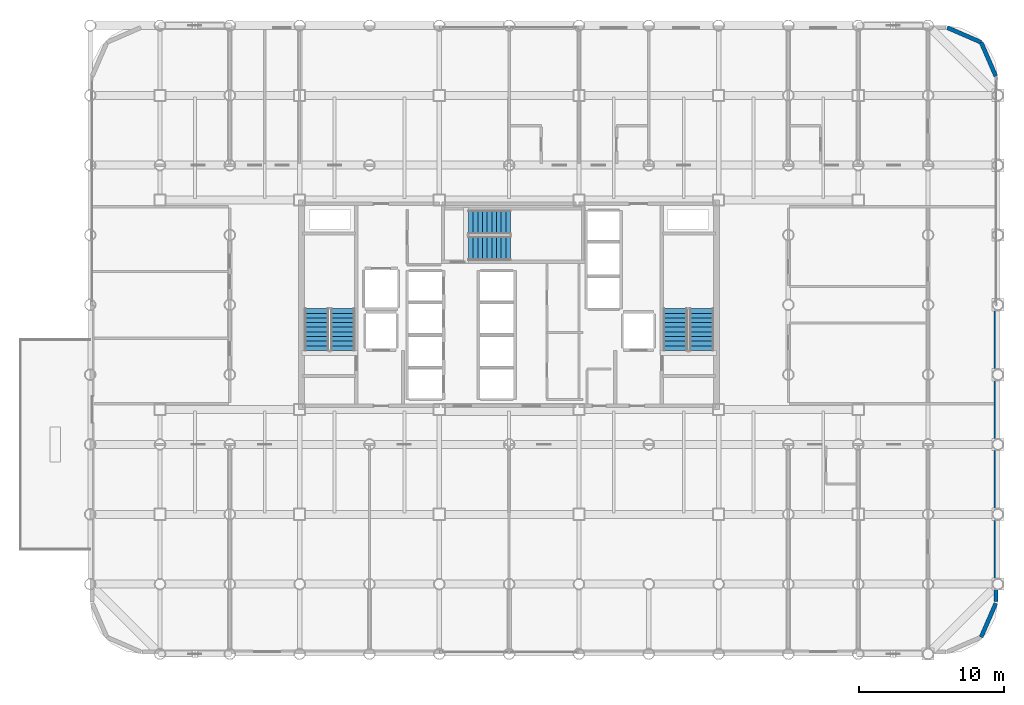
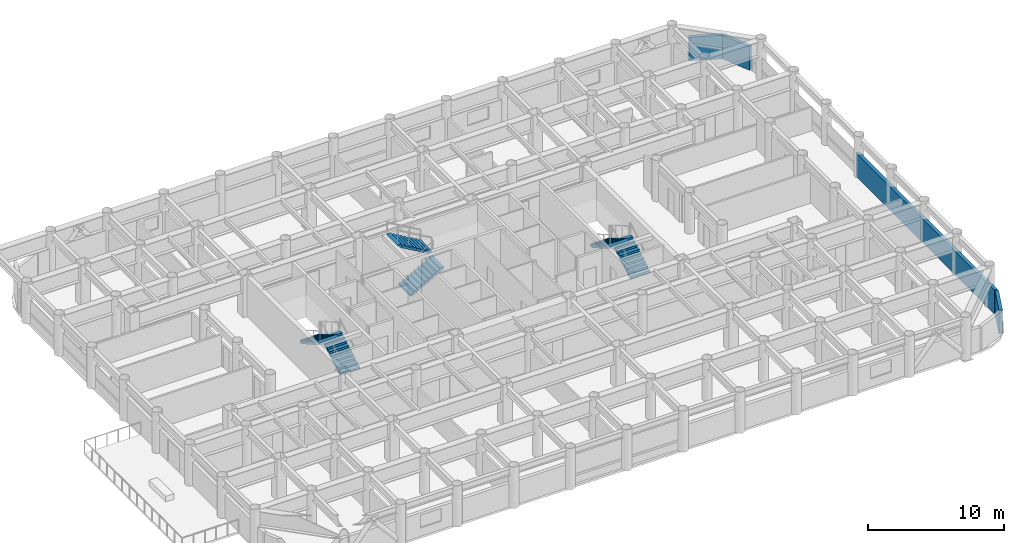
# One storey, part 20 of 22: 6 stair flights, 4 walls, 3 elements without a shape of their own.
"""IFC4 building model written with IfcOpenShell, lengths in metres."""

from ifc_helpers import new_model, si_unit, direction, frame, frame_2d, origin, place, context, subcontext, project, spatial, polyline, rectangle, outline, extrude, material, layer, layer_set, type_object, element, aggregate, save


model = new_model("IFC4")

# Units and contexts
model_context = context("Model", 3, precision=1e-05, world=origin(), true_north=direction((0.0, 1.0)))
body_context = subcontext(model_context, "Body", "Model", "MODEL_VIEW")
ifc_project = project(units=[si_unit("LENGTHUNIT", "METRE"), si_unit("AREAUNIT", "SQUARE_METRE"), si_unit("VOLUMEUNIT", "CUBIC_METRE"), si_unit("PLANEANGLEUNIT", "RADIAN"), si_unit("MASSUNIT", "GRAM", prefix="KILO")], contexts=[model_context])

# Site, building, storey
site_placement = place(None, origin())
site = spatial("IfcSite", under=ifc_project, at=site_placement, CompositionType="ELEMENT")
building_placement = place(site_placement, origin())
building = spatial("IfcBuilding", under=site, at=building_placement, Name="Kallvorn Hotel Tower", CompositionType="ELEMENT")
storey_placement = place(building_placement, frame((0.0, 0.0, 59.60009765625)))
storey = spatial("IfcBuildingStorey", under=building, at=storey_placement, Name="L13", CompositionType="ELEMENT", Elevation=59.60009765625)

# Walls
ifc_material_1 = material(Name="Precast basalt-clad insulated concrete wall C40/50", Category="masonry")
ifc_layer = layer(ifc_material_1, 0.280029296875)
ifc_layer_set = layer_set([ifc_layer], Name="WL_EXT_LOGGIA_280")
wall_type = type_object("IfcWallType", Name="WL_EXT_LOGGIA_280", PredefinedType="SOLIDWALL", material=ifc_layer_set)
for number, where, z_axis, x_axis, name in (
    (1, (32.446533203125, -22.8466796875, 0.0), (0.0, 0.0, 1.0), (0.398792985289, 0.917040977756, 0.0), "L13 Rounded Corner Exterior Wall SE2"),
    (2, (33.4580078125, 15.720703125, 0.0), (0.0, 0.0, 1.0), (-0.398792985289, 0.917040977756, 0.0), "L13 Rounded Corner Exterior Wall NE1"),
):
    element("IfcWall", number, at=place(storey_placement, frame(where, z_axis=z_axis, x_axis=x_axis)), inside=storey, type_object=wall_type, Name=name, PredefinedType="SOLIDWALL", context=body_context, shape_type="SweptSolid", body=[
        extrude(rectangle(XDim=2.536376953125, YDim=0.280029296875, at=frame_2d((1.26806640625, 0.0))), origin(), (0.0, 0.0, 1.0), 2.119873046875),
    ])
wall_1_placement = place(storey_placement, frame((32.446533203125, 18.046630859375, 0.0), z_axis=(0.0, 0.0, 1.0), x_axis=(-0.917060872934, 0.398747232384, 0.0)))
element("IfcWall", 3, at=wall_1_placement, inside=storey, type_object=wall_type, Name="L13 Rounded Corner Exterior Wall NE2", PredefinedType="SOLIDWALL", context=body_context, shape_type="SweptSolid", body=[
    extrude(rectangle(XDim=2.5361328125, YDim=0.280029296875, at=frame_2d((1.26806640625, 0.0))), origin(), (0.0, 0.0, 1.0), 2.119873046875),
])
wall_2_placement = place(storey_placement, frame((33.4599609375, -20.39990234375, 0.0), z_axis=(0.0, 0.0, 1.0), x_axis=(0.0, 1.0, 0.0)))
element("IfcWall", 4, at=wall_2_placement, inside=storey, type_object=wall_type, Name="L13 Exterior Envelope Wall EW-L13-ES", PredefinedType="SOLIDWALL", context=body_context, shape_type="SweptSolid", body=[
    extrude(rectangle(XDim=20.3798828125, YDim=0.280029296875, at=frame_2d((10.18994140625, 0.0))), origin(), (0.0, 0.0, 1.0), 2.119873046875),
])

# Stair, stair flights
ifc_material_2 = material(Name="Precast concrete C40/50", Category="concrete")
stair_type = type_object("IfcStairType", Name="STR_CORE_DOGLEG", PredefinedType="HALF_TURN_STAIR", material=ifc_material_2)
stair_1_placement = place(storey_placement, origin())
stair_1 = element("IfcStair", 5, at=stair_1_placement, inside=storey, type_object=stair_type, Name="L13 Exit stair ST1", PredefinedType="HALF_TURN_STAIR")
ifc_material_3 = material(Name="Precast concrete C40/50", Category="concrete")
stair_flight_type = type_object("IfcStairFlightType", Name="FLT_CORE_1660", PredefinedType="STRAIGHT", material=ifc_material_3)
stair_flight_1_placement = place(storey_placement, frame((-11.429931640625, -3.139892578125, 0.0), z_axis=(0.0, 0.0, 1.0), x_axis=(0.0, 1.0, 0.0)))
stair_flight_1 = element("IfcStairFlight", 6, at=stair_flight_1_placement, type_object=stair_flight_type, Name="ST1 flight 1", NumberOfRisers=10, NumberOfTreads=9, PredefinedType="STRAIGHT", RiserHeight=0.185, TreadLength=0.32, context=body_context, shape_type="SweptSolid", body=[
    extrude(outline(polyline([(0.0, 0.0), (0.0, 0.18505859375), (0.320068359375, 0.18505859375), (0.320068359375, 0.3701171875), (0.639892578125, 0.3701171875), (0.639892578125, 0.554931640625), (0.9599609375, 0.554931640625), (0.9599609375, 0.739990234375), (1.280029296875, 0.739990234375), (1.280029296875, 0.925048828125), (1.60009765625, 0.925048828125), (1.60009765625, 1.110107421875), (1.919921875, 1.110107421875), (1.919921875, 1.294921875), (2.239990234375, 1.294921875), (2.239990234375, 1.47998046875), (2.56005859375, 1.47998046875), (2.56005859375, 1.6650390625), (2.8798828125, 1.6650390625), (2.8798828125, 1.85009765625), (2.8798828125, 1.491943359375), (0.299560546875, 0.0), (0.0, 0.0)])), frame((0.0, 0.830078125, 0.0), z_axis=(0.0, -1.0, 0.0), x_axis=(1.0, 0.0, 0.0)), (0.0, 0.0, 1.0), 1.659912109375),
])
stair_flight_2_placement = place(storey_placement, frame((-13.22998046875, -0.260009765625, 1.849853515625), z_axis=(0.0, 0.0, 1.0), x_axis=(0.0, -1.0, 0.0)))
stair_flight_2 = element("IfcStairFlight", 7, at=stair_flight_2_placement, type_object=stair_flight_type, Name="ST1 flight 2", NumberOfRisers=10, NumberOfTreads=9, PredefinedType="STRAIGHT", RiserHeight=0.185, TreadLength=0.32, context=body_context, shape_type="SweptSolid", body=[
    extrude(outline(polyline([(0.0, 0.0), (0.0, 0.18505859375), (0.320068359375, 0.18505859375), (0.320068359375, 0.3701171875), (0.639892578125, 0.3701171875), (0.639892578125, 0.554931640625), (0.9599609375, 0.554931640625), (0.9599609375, 0.739990234375), (1.280029296875, 0.739990234375), (1.280029296875, 0.925048828125), (1.60009765625, 0.925048828125), (1.60009765625, 1.110107421875), (1.919921875, 1.110107421875), (1.919921875, 1.294921875), (2.239990234375, 1.294921875), (2.239990234375, 1.47998046875), (2.56005859375, 1.47998046875), (2.56005859375, 1.6650390625), (2.8798828125, 1.6650390625), (2.8798828125, 1.85009765625), (2.8798828125, 1.491943359375), (0.299560546875, 0.0), (0.0, 0.0)])), frame((0.0, 0.830078125, 0.0), z_axis=(0.0, -1.0, 0.0), x_axis=(1.0, 0.0, 0.0)), (0.0, 0.0, 1.0), 1.659912109375),
])
aggregate(stair_1, [stair_flight_1, stair_flight_2])

stair_2_placement = place(storey_placement, origin())
stair_2 = element("IfcStair", 8, at=stair_2_placement, inside=storey, type_object=stair_type, Name="L13 Exit stair ST2", PredefinedType="HALF_TURN_STAIR")
stair_flight_3_placement = place(storey_placement, frame((13.22998046875, -3.139892578125, 0.0), z_axis=(0.0, 0.0, 1.0), x_axis=(0.0, 1.0, 0.0)))
stair_flight_3 = element("IfcStairFlight", 9, at=stair_flight_3_placement, type_object=stair_flight_type, Name="ST2 flight 1", NumberOfRisers=10, NumberOfTreads=9, PredefinedType="STRAIGHT", RiserHeight=0.185, TreadLength=0.32, context=body_context, shape_type="SweptSolid", body=[
    extrude(outline(polyline([(0.0, 0.0), (0.0, 0.18505859375), (0.320068359375, 0.18505859375), (0.320068359375, 0.3701171875), (0.639892578125, 0.3701171875), (0.639892578125, 0.554931640625), (0.9599609375, 0.554931640625), (0.9599609375, 0.739990234375), (1.280029296875, 0.739990234375), (1.280029296875, 0.925048828125), (1.60009765625, 0.925048828125), (1.60009765625, 1.110107421875), (1.919921875, 1.110107421875), (1.919921875, 1.294921875), (2.239990234375, 1.294921875), (2.239990234375, 1.47998046875), (2.56005859375, 1.47998046875), (2.56005859375, 1.6650390625), (2.8798828125, 1.6650390625), (2.8798828125, 1.85009765625), (2.8798828125, 1.491943359375), (0.299560546875, 0.0), (0.0, 0.0)])), frame((0.0, 0.830078125, 0.0), z_axis=(0.0, -1.0, 0.0), x_axis=(1.0, 0.0, 0.0)), (0.0, 0.0, 1.0), 1.659912109375),
])
stair_flight_4_placement = place(storey_placement, frame((11.429931640625, -0.260009765625, 1.849853515625), z_axis=(0.0, 0.0, 1.0), x_axis=(0.0, -1.0, 0.0)))
stair_flight_4 = element("IfcStairFlight", 10, at=stair_flight_4_placement, type_object=stair_flight_type, Name="ST2 flight 2", NumberOfRisers=10, NumberOfTreads=9, PredefinedType="STRAIGHT", RiserHeight=0.185, TreadLength=0.32, context=body_context, shape_type="SweptSolid", body=[
    extrude(outline(polyline([(0.0, 0.0), (0.0, 0.18505859375), (0.320068359375, 0.18505859375), (0.320068359375, 0.3701171875), (0.639892578125, 0.3701171875), (0.639892578125, 0.554931640625), (0.9599609375, 0.554931640625), (0.9599609375, 0.739990234375), (1.280029296875, 0.739990234375), (1.280029296875, 0.925048828125), (1.60009765625, 0.925048828125), (1.60009765625, 1.110107421875), (1.919921875, 1.110107421875), (1.919921875, 1.294921875), (2.239990234375, 1.294921875), (2.239990234375, 1.47998046875), (2.56005859375, 1.47998046875), (2.56005859375, 1.6650390625), (2.8798828125, 1.6650390625), (2.8798828125, 1.85009765625), (2.8798828125, 1.491943359375), (0.299560546875, 0.0), (0.0, 0.0)])), frame((0.0, 0.830078125, 0.0), z_axis=(0.0, -1.0, 0.0), x_axis=(1.0, 0.0, 0.0)), (0.0, 0.0, 1.0), 1.659912109375),
])
aggregate(stair_2, [stair_flight_3, stair_flight_4])

stair_3_placement = place(storey_placement, origin())
stair_3 = element("IfcStair", 11, at=stair_3_placement, inside=storey, type_object=stair_type, Name="L13 Exit stair ST3", PredefinedType="HALF_TURN_STAIR")
stair_flight_5_placement = place(storey_placement, frame((-2.7900390625, 3.8798828125, 0.0), z_axis=(0.0, 0.0, 1.0), x_axis=(1.0, 0.0, 0.0)))
stair_flight_5 = element("IfcStairFlight", 12, at=stair_flight_5_placement, type_object=stair_flight_type, Name="ST3 flight 1", NumberOfRisers=10, NumberOfTreads=9, PredefinedType="STRAIGHT", RiserHeight=0.185, TreadLength=0.32, context=body_context, shape_type="SweptSolid", body=[
    extrude(outline(polyline([(0.0, 0.0), (0.0, 0.18505859375), (0.320068359375, 0.18505859375), (0.320068359375, 0.3701171875), (0.639892578125, 0.3701171875), (0.639892578125, 0.554931640625), (0.9599609375, 0.554931640625), (0.9599609375, 0.739990234375), (1.280029296875, 0.739990234375), (1.280029296875, 0.925048828125), (1.60009765625, 0.925048828125), (1.60009765625, 1.110107421875), (1.919921875, 1.110107421875), (1.919921875, 1.294921875), (2.239990234375, 1.294921875), (2.239990234375, 1.47998046875), (2.56005859375, 1.47998046875), (2.56005859375, 1.6650390625), (2.8798828125, 1.6650390625), (2.8798828125, 1.85009765625), (2.8798828125, 1.491943359375), (0.299560546875, 0.0), (0.0, 0.0)])), frame((0.0, 0.830078125, 0.0), z_axis=(0.0, -1.0, 0.0), x_axis=(1.0, 0.0, 0.0)), (0.0, 0.0, 1.0), 1.659912109375),
])
stair_flight_6_placement = place(storey_placement, frame((0.090087890625, 5.679931640625, 1.849853515625), z_axis=(0.0, 0.0, 1.0), x_axis=(-1.0, 0.0, 0.0)))
stair_flight_6 = element("IfcStairFlight", 13, at=stair_flight_6_placement, type_object=stair_flight_type, Name="ST3 flight 2", NumberOfRisers=10, NumberOfTreads=9, PredefinedType="STRAIGHT", RiserHeight=0.185, TreadLength=0.32, context=body_context, shape_type="SweptSolid", body=[
    extrude(outline(polyline([(0.0, 0.0), (0.0, 0.18505859375), (0.320068359375, 0.18505859375), (0.320068359375, 0.3701171875), (0.639892578125, 0.3701171875), (0.639892578125, 0.554931640625), (0.9599609375, 0.554931640625), (0.9599609375, 0.739990234375), (1.280029296875, 0.739990234375), (1.280029296875, 0.925048828125), (1.60009765625, 0.925048828125), (1.60009765625, 1.110107421875), (1.919921875, 1.110107421875), (1.919921875, 1.294921875), (2.239990234375, 1.294921875), (2.239990234375, 1.47998046875), (2.56005859375, 1.47998046875), (2.56005859375, 1.6650390625), (2.8798828125, 1.6650390625), (2.8798828125, 1.85009765625), (2.8798828125, 1.491943359375), (0.299560546875, 0.0), (0.0, 0.0)])), frame((0.0, 0.830078125, 0.0), z_axis=(0.0, -1.0, 0.0), x_axis=(1.0, 0.0, 0.0)), (0.0, 0.0, 1.0), 1.659912109375),
])
aggregate(stair_3, [stair_flight_5, stair_flight_6])

save(model, "model.ifc")
